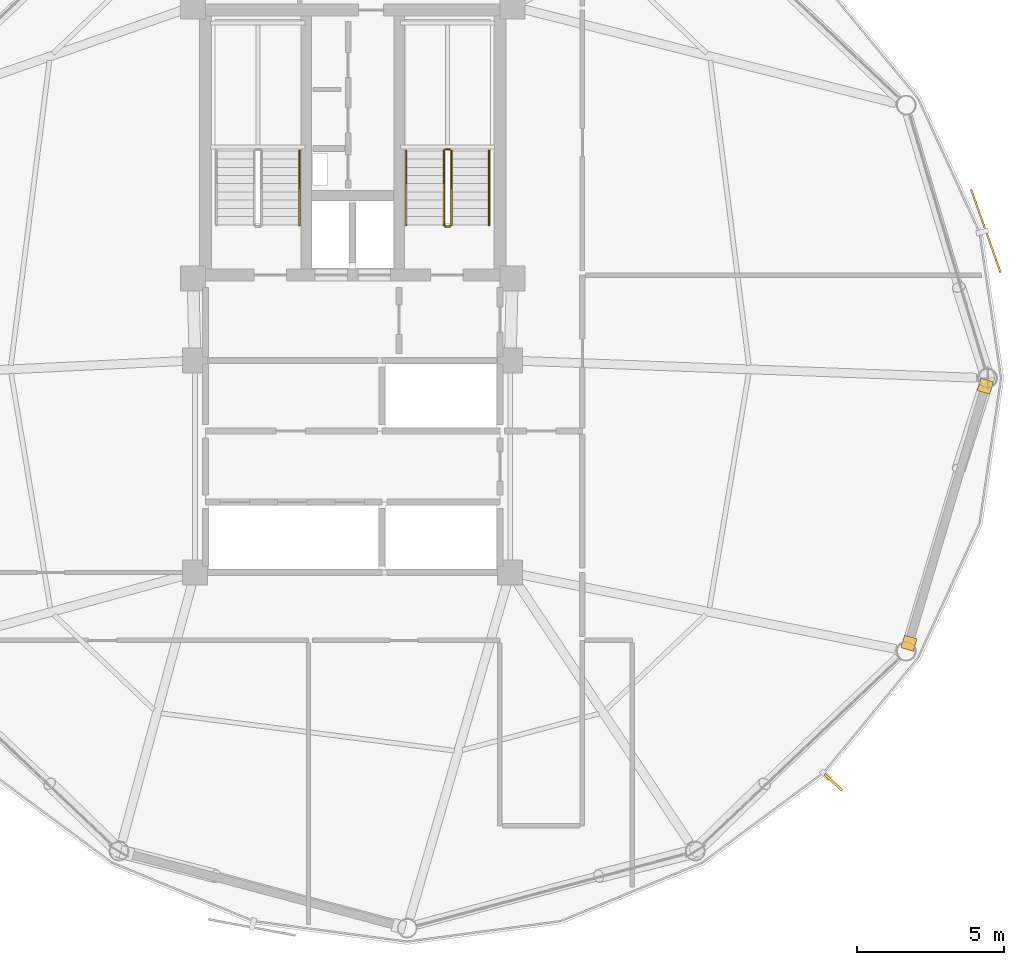
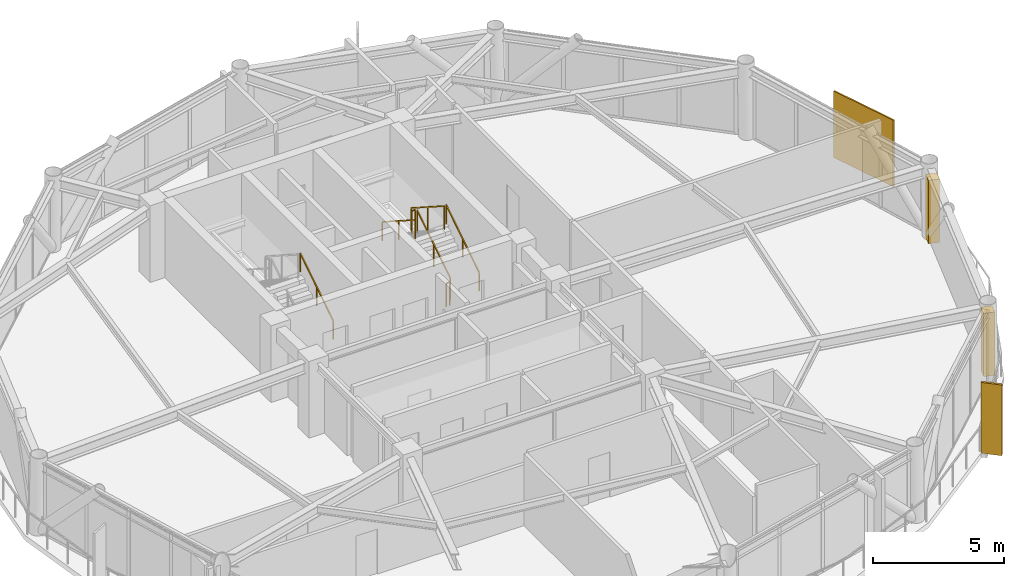
# One storey, part 28 of 29: 7 railings, 2 coverings, 2 shading devices.
"""IFC4 building model written with IfcOpenShell, lengths in metres."""

from ifc_helpers import new_model, si_unit, direction, frame, origin, origin_2d, place, context, subcontext, project, spatial, rectangle, extrude, source, transform, mapped, material, layer, layer_set, type_object, type_shapes, element, save


model = new_model("IFC4")

# Units and contexts
model_context = context("Model", 3, precision=1e-05, world=origin(), true_north=direction((0.0, 1.0)))
body_context = subcontext(model_context, "Body", "Model", "MODEL_VIEW")
ifc_project = project(units=[si_unit("LENGTHUNIT", "METRE"), si_unit("AREAUNIT", "SQUARE_METRE"), si_unit("VOLUMEUNIT", "CUBIC_METRE"), si_unit("PLANEANGLEUNIT", "RADIAN"), si_unit("MASSUNIT", "GRAM", prefix="KILO")], contexts=[model_context])

# Site, building, storey
site_placement = place(None, origin())
site = spatial("IfcSite", under=ifc_project, at=site_placement, CompositionType="ELEMENT")
building_placement = place(site_placement, origin())
building = spatial("IfcBuilding", under=site, at=building_placement, Name="Varnakorn Sky Granary", CompositionType="ELEMENT")
storey_placement = place(building_placement, frame((0.0, 0.0, 182.39990234375)))
storey = spatial("IfcBuildingStorey", under=building, at=storey_placement, Name="L45", CompositionType="ELEMENT", Elevation=182.39990234375)

# Railings
ifc_material_1 = material(Name="Brushed Stainless Steel 316", Category="steel")
railing_type_1 = type_object("IfcRailingType", Name="RL-STAIR-1100", PredefinedType="GUARDRAIL", material=ifc_material_1)
railing_1_placement = place(storey_placement, frame((6.35009765625, 5.199951171875, 0.18017578125)))
element("IfcRailing", 1, at=railing_1_placement, inside=storey, type_object=railing_type_1, Name="L45 ST-2 stair guard 1", PredefinedType="GUARDRAIL", context=body_context, shape_type="SweptSolid", body=[
    extrude(rectangle(XDim=0.048095703125, YDim=0.048095703125, at=origin_2d()), frame((0.0, 0.0, 1.076171875), z_axis=(0.0, 0.841199657755, 0.540724639528), x_axis=(-1.0, 0.0, 0.0)), (0.0, 0.0, 1.0), 2.995849609375),
    extrude(rectangle(XDim=0.0419921875, YDim=0.0419921875, at=origin_2d()), origin(), (0.0, 0.0, 1.0), 1.048095703125),
    extrude(rectangle(XDim=0.0419921875, YDim=0.0419921875, at=origin_2d()), frame((0.0, 1.260009765625, 0.81005859375)), (0.0, 0.0, 1.0), 1.048095703125),
    extrude(rectangle(XDim=0.0419921875, YDim=0.0419921875, at=origin_2d()), frame((0.0, 2.52001953125, 1.619873046875)), (0.0, 0.0, 1.0), 1.048095703125),
])
railing_2_placement = place(storey_placement, frame((6.300048828125, 7.77001953125, 1.800048828125)))
element("IfcRailing", 2, at=railing_2_placement, inside=storey, type_object=railing_type_1, Name="L45 ST-2 stair guard 2", PredefinedType="GUARDRAIL", context=body_context, shape_type="SweptSolid", body=[
    extrude(rectangle(XDim=0.048095703125, YDim=0.048095703125, at=origin_2d()), frame((0.0, 0.0, 1.076171875), z_axis=(-1.0, 0.0, 0.0), x_axis=(0.0, -1.0, 0.0)), (0.0, 0.0, 1.0), 0.150146484375),
    extrude(rectangle(XDim=0.0419921875, YDim=0.0419921875, at=origin_2d()), origin(), (0.0, 0.0, 1.0), 1.048095703125),
    extrude(rectangle(XDim=0.0419921875, YDim=0.0419921875, at=origin_2d()), frame((-0.150146484375, 0.0, 0.0)), (0.0, 0.0, 1.0), 1.048095703125),
])
railing_3_placement = place(storey_placement, frame((6.10009765625, 7.719970703125, 1.97998046875)))
element("IfcRailing", 3, at=railing_3_placement, inside=storey, type_object=railing_type_1, Name="L45 ST-2 stair guard 3", PredefinedType="GUARDRAIL", context=body_context, shape_type="SweptSolid", body=[
    extrude(rectangle(XDim=0.048095703125, YDim=0.048095703125, at=origin_2d()), frame((0.0, 0.0, 1.076171875), z_axis=(0.0, -0.841162588446, 0.540782303519), x_axis=(1.0, 0.0, 0.0)), (0.0, 0.0, 1.0), 2.995849609375),
    extrude(rectangle(XDim=0.0419921875, YDim=0.0419921875, at=origin_2d()), origin(), (0.0, 0.0, 1.0), 1.048095703125),
    extrude(rectangle(XDim=0.0419921875, YDim=0.0419921875, at=origin_2d()), frame((0.0, -1.260009765625, 0.81005859375)), (0.0, 0.0, 1.0), 1.048095703125),
    extrude(rectangle(XDim=0.0419921875, YDim=0.0419921875, at=origin_2d()), frame((0.0, -2.52001953125, 1.6201171875)), (0.0, 0.0, 1.0), 1.048095703125),
])
railing_4_placement = place(storey_placement, frame((6.300048828125, 5.14990234375, 0.0)))
element("IfcRailing", 4, at=railing_4_placement, inside=storey, type_object=railing_type_1, Name="L45 ST-2 stair guard 4", PredefinedType="GUARDRAIL", context=body_context, shape_type="SweptSolid", body=[
    extrude(rectangle(XDim=0.048095703125, YDim=0.048095703125, at=origin_2d()), frame((0.0, 0.0, 1.076171875), z_axis=(-1.0, 0.0, 0.0), x_axis=(0.0, -1.0, 0.0)), (0.0, 0.0, 1.0), 0.150146484375),
    extrude(rectangle(XDim=0.0419921875, YDim=0.0419921875, at=origin_2d()), origin(), (0.0, 0.0, 1.0), 1.048095703125),
    extrude(rectangle(XDim=0.0419921875, YDim=0.0419921875, at=origin_2d()), frame((-0.150146484375, 0.0, 0.0)), (0.0, 0.0, 1.0), 1.048095703125),
])
railing_type_2 = type_object("IfcRailingType", Name="RL-STAIR-920", PredefinedType="HANDRAIL", material=ifc_material_1)
for number, where, name in (
    (5, (1.18994140625, 5.199951171875, 0.18017578125), "L45 ST-1 stair handrail 1"),
    (6, (7.6298828125, 5.199951171875, 0.18017578125), "L45 ST-2 stair handrail 1"),
):
    element("IfcRailing", number, at=place(storey_placement, frame(where)), inside=storey, type_object=railing_type_2, Name=name, PredefinedType="HANDRAIL", context=body_context, shape_type="SweptSolid", body=[
        extrude(rectangle(XDim=0.048095703125, YDim=0.048095703125, at=origin_2d()), frame((0.0, 0.0, 0.8759765625), z_axis=(0.0, 0.841199657755, 0.540724639528), x_axis=(-1.0, 0.0, 0.0)), (0.0, 0.0, 1.0), 2.995849609375),
        extrude(rectangle(XDim=0.0419921875, YDim=0.0419921875, at=origin_2d()), origin(), (0.0, 0.0, 1.0), 0.847900390625),
        extrude(rectangle(XDim=0.0419921875, YDim=0.0419921875, at=origin_2d()), frame((0.0, 1.260009765625, 0.81005859375)), (0.0, 0.0, 1.0), 0.847900390625),
        extrude(rectangle(XDim=0.0419921875, YDim=0.0419921875, at=origin_2d()), frame((0.0, 2.52001953125, 1.619873046875)), (0.0, 0.0, 1.0), 0.847900390625),
    ])
railing_5_placement = place(storey_placement, frame((4.820068359375, 7.719970703125, 1.97998046875)))
element("IfcRailing", 7, at=railing_5_placement, inside=storey, type_object=railing_type_2, Name="L45 ST-2 stair handrail 2", PredefinedType="HANDRAIL", context=body_context, shape_type="SweptSolid", body=[
    extrude(rectangle(XDim=0.048095703125, YDim=0.048095703125, at=origin_2d()), frame((0.0, 0.0, 0.8759765625), z_axis=(0.0, -0.841162588446, 0.540782303519), x_axis=(1.0, 0.0, 0.0)), (0.0, 0.0, 1.0), 2.995849609375),
    extrude(rectangle(XDim=0.0419921875, YDim=0.0419921875, at=origin_2d()), origin(), (0.0, 0.0, 1.0), 0.847900390625),
    extrude(rectangle(XDim=0.0419921875, YDim=0.0419921875, at=origin_2d()), frame((0.0, -1.260009765625, 0.81005859375)), (0.0, 0.0, 1.0), 0.847900390625),
    extrude(rectangle(XDim=0.0419921875, YDim=0.0419921875, at=origin_2d()), frame((0.0, -2.52001953125, 1.6201171875)), (0.0, 0.0, 1.0), 0.847900390625),
])

# Shading devices
ifc_material_2 = material(Name="Anodised Bronze Aluminium Alloy 6063-T6", Category="aluminium")
shading_device_type_1 = type_object("IfcShadingDeviceType", Name="SH-SCR-02", PredefinedType="USERDEFINED", material=ifc_material_2)
shared_shape_1 = source(origin(), body_context, "Body", "SweptSolid", [
    extrude(rectangle(XDim=3.0, YDim=0.06494140625, at=origin_2d()), origin(), (0.0, 0.0, 1.0), 3.10009765625),
])
type_shapes(shading_device_type_1, [shared_shape_1])
shading_device_1_placement = place(storey_placement, frame((24.497802734375, 4.993896484375, -0.0400390625), z_axis=(0.0, 0.0, 1.0), x_axis=(-0.333993514075, 0.942575372348, 0.0)))
element("IfcShadingDevice", 8, at=shading_device_1_placement, inside=storey, type_object=shading_device_type_1, Name="Perforated Bronze Solar Screen Panel SCREEN L45-01", ObjectType="SCREEN", PredefinedType="USERDEFINED", context=body_context, shape_type="MappedRepresentation", body=[
    mapped(shared_shape_1, transform((0.0, 0.0, 0.0), x_axis=(1.0, 0.0, 0.0), y_axis=(0.0, 1.0, 0.0), z_axis=(0.0, 0.0, 1.0), scale=1.0)),
])
shading_device_type_2 = type_object("IfcShadingDeviceType", Name="SH-FIN-02", PredefinedType="USERDEFINED", material=ifc_material_2)
shared_shape_2 = source(origin(), body_context, "Body", "SweptSolid", [
    extrude(rectangle(XDim=0.0849609375, YDim=0.820068359375, at=origin_2d()), origin(), (0.0, 0.0, 1.0), 3.300048828125),
])
type_shapes(shading_device_type_2, [shared_shape_2])
shading_device_2_placement = place(storey_placement, frame((19.322998046875, -13.72412109375, -0.0400390625), z_axis=(0.0, 0.0, 1.0), x_axis=(0.677252397384, 0.735750766386, 0.0)))
element("IfcShadingDevice", 9, at=shading_device_2_placement, inside=storey, type_object=shading_device_type_2, Name="Bronze Solar-Tracking Vertical Blade FIN L45-11", ObjectType="FIN", PredefinedType="USERDEFINED", context=body_context, shape_type="MappedRepresentation", body=[
    mapped(shared_shape_2, transform((0.0, 0.0, 0.0), x_axis=(1.0, 0.0, 0.0), y_axis=(0.0, 1.0, 0.0), z_axis=(0.0, 0.0, 1.0), scale=1.0)),
])

# Coverings
ifc_layer = layer(ifc_material_2, 0.050048828125, Name="Anodised Bronze Aluminium Alloy 6063-T6")
ifc_layer_set = layer_set([ifc_layer], Name="Anodised Bronze Aluminium Alloy 6063-T6")
covering_type = type_object("IfcCoveringType", Name="CV-CLAD-50", PredefinedType="CLADDING", material=ifc_layer_set)
shared_shape_3 = source(origin(), body_context, "Body", "SweptSolid", [
    extrude(rectangle(XDim=0.43994140625, YDim=0.43994140625, at=origin_2d()), origin(), (0.0, 0.0, 1.0), 2.949951171875),
])
type_shapes(covering_type, [shared_shape_3])
for number, where, z_axis, x_axis, name in (
    (10, (24.48388671875, -0.273193359375, -0.02001953125), (0.0, 0.0, 1.0), (-0.28501926247, -0.958521789017, 0.0), "Bronze Corner Pilaster Closure L45-P12-A"),
    (11, (21.887939453125, -9.000244140625, -0.02001953125), (0.0, 0.0, 1.0), (-0.28501926247, -0.958521789017, 0.0), "Bronze Corner Pilaster Closure L45-P12-B"),
):
    element("IfcCovering", number, at=place(storey_placement, frame(where, z_axis=z_axis, x_axis=x_axis)), inside=storey, type_object=covering_type, Name=name, PredefinedType="CLADDING", context=body_context, shape_type="MappedRepresentation", body=[
        mapped(shared_shape_3, transform((0.0, 0.0, 0.0), x_axis=(1.0, 0.0, 0.0), y_axis=(0.0, 1.0, 0.0), z_axis=(0.0, 0.0, 1.0), scale=1.0)),
    ])

save(model, "model.ifc")
